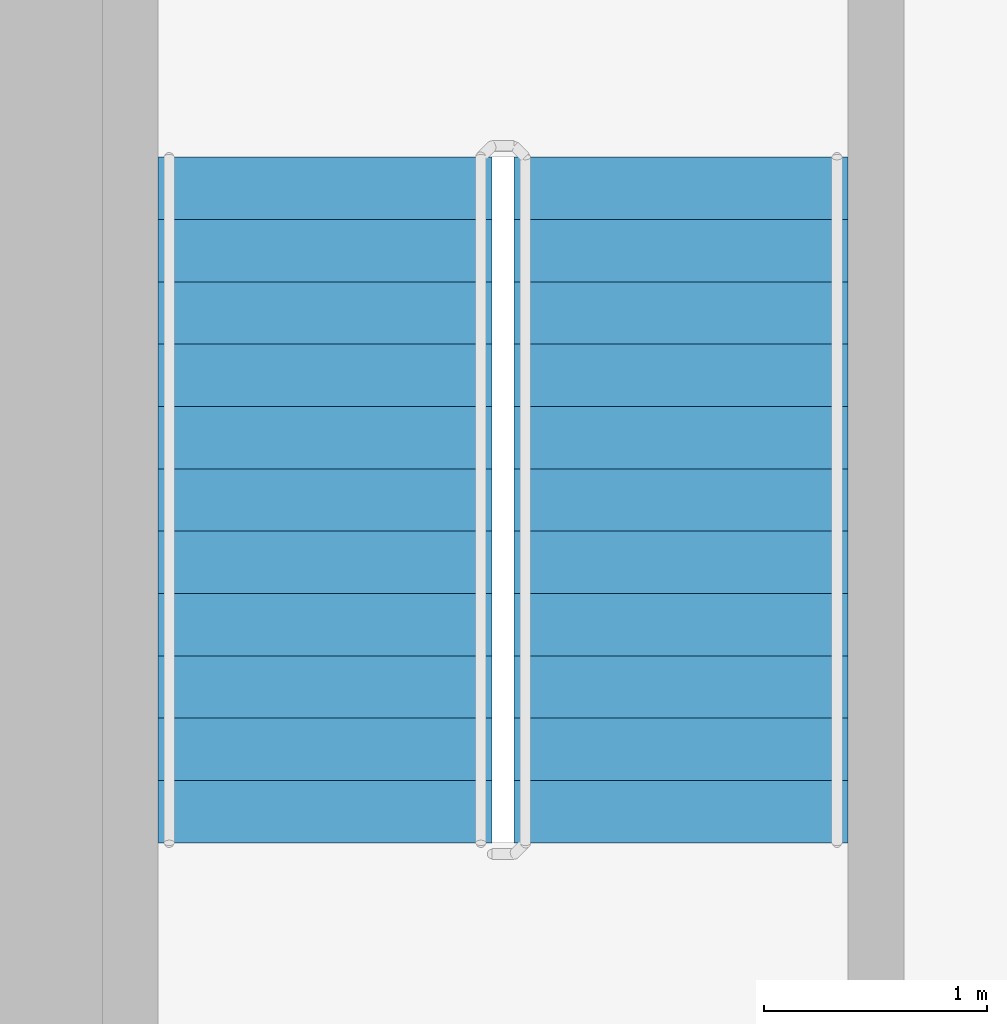
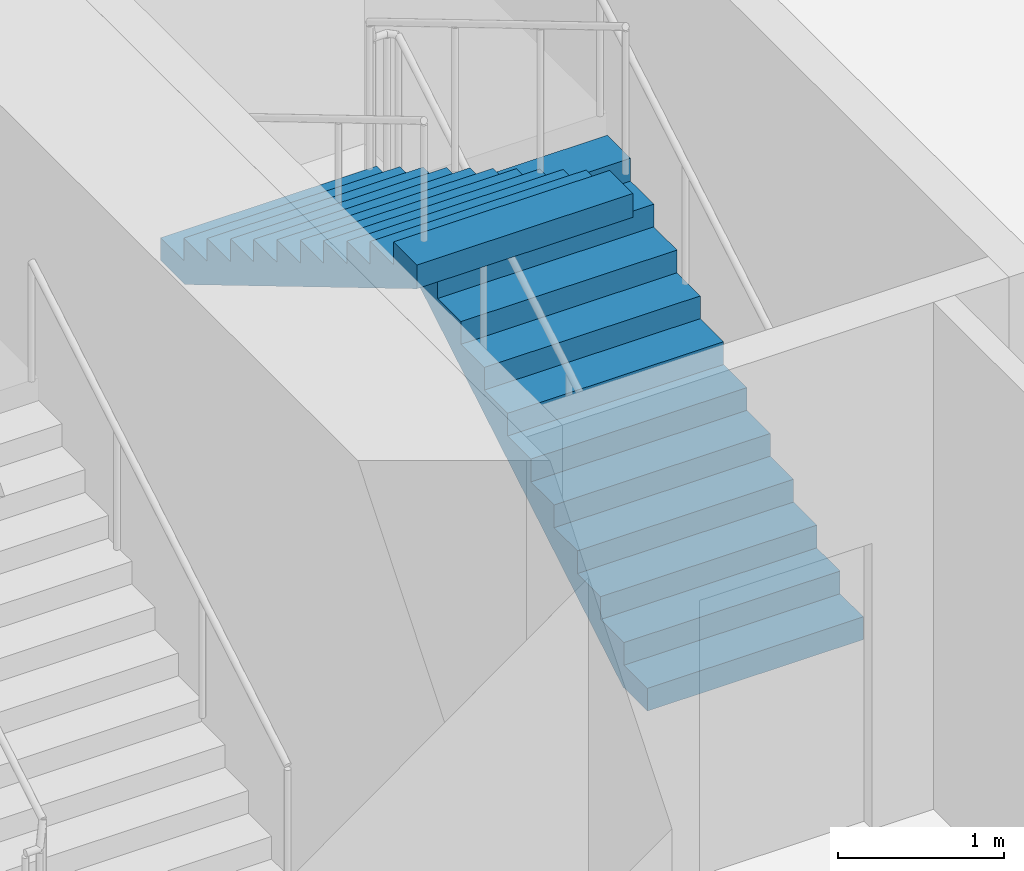
# One storey, part 16 of 24: 2 stair flights, 1 element without a shape of its own.
"""IFC4 building model written with IfcOpenShell, lengths in metres."""

from ifc_helpers import new_model, si_unit, direction, frame, origin, place, context, subcontext, project, spatial, triangles, source, transform, mapped, material, type_object, element, aggregate, save


model = new_model("IFC4")

# Units and contexts
model_context = context("Model", 3, precision=1e-05, world=origin(), true_north=direction((0.0, 1.0)))
body_context = subcontext(model_context, "Body", "Model", "MODEL_VIEW")
ifc_project = project(units=[si_unit("LENGTHUNIT", "METRE"), si_unit("AREAUNIT", "SQUARE_METRE"), si_unit("VOLUMEUNIT", "CUBIC_METRE"), si_unit("PLANEANGLEUNIT", "RADIAN"), si_unit("MASSUNIT", "GRAM", prefix="KILO")], contexts=[model_context])

# Site, building, storey
site_placement = place(None, origin())
site = spatial("IfcSite", under=ifc_project, at=site_placement, CompositionType="ELEMENT")
building_placement = place(site_placement, origin())
building = spatial("IfcBuilding", under=site, at=building_placement, Name="Kilnfold Tower and Market Hall", CompositionType="ELEMENT")
storey_placement = place(building_placement, frame((0.0, 0.0, 35.0)))
storey = spatial("IfcBuildingStorey", under=building, at=storey_placement, Name="L07", CompositionType="ELEMENT", Elevation=35.0)

# Stair, stair flights
ifc_material_1 = material(Name="Concrete C40/50", Category="concrete")
stair_type = type_object("IfcStairType", Name="CORE STAIR 1500", PredefinedType="HALF_TURN_STAIR", material=ifc_material_1)
stair_placement = place(storey_placement, origin())
stair = element("IfcStair", 1, at=stair_placement, inside=storey, type_object=stair_type, Name="L07 ST5", PredefinedType="HALF_TURN_STAIR")
ifc_material_2 = material(Name="Concrete C40/50", Category="concrete")
stair_flight_type = type_object("IfcStairFlightType", Name="CORE STAIR FLIGHT 1500", PredefinedType="STRAIGHT", material=ifc_material_2)
shared_shape = source(origin(), body_context, "Body", "Tessellation", [
    triangles([(0.0, 0.75, 0.0), (0.0, 0.65625, 0.0), (0.0, 0.5625, 0.0), (0.0, 0.46875, 0.0), (0.0, 0.375, 0.0), (0.0, 0.28125, 0.0), (0.0, 0.1875, 0.0), (0.0, 0.09375, 0.0), (0.0, 0.0, 0.0), (0.0, -0.09375, 0.0), (0.0, -0.1875, 0.0), (0.0, -0.28125, 0.0), (0.0, -0.375, 0.0), (0.0, -0.46875, 0.0), (0.0, -0.5625, 0.0), (0.0, -0.65625, 0.0), (0.0, -0.75, 0.0), (0.0, 0.75, 0.166748046875), (0.0, 0.65625, 0.166748046875), (0.0, 0.5625, 0.166748046875), (0.0, 0.46875, 0.166748046875), (0.0, 0.375, 0.166748046875), (0.0, 0.28125, 0.166748046875), (0.0, 0.1875, 0.166748046875), (0.0, 0.09375, 0.166748046875), (0.0, 0.0, 0.166748046875), (0.0, -0.09375, 0.166748046875), (0.0, -0.1875, 0.166748046875), (0.0, -0.28125, 0.166748046875), (0.0, -0.375, 0.166748046875), (0.0, -0.46875, 0.166748046875), (0.0, -0.5625, 0.166748046875), (0.0, -0.65625, 0.166748046875), (0.0, -0.75, 0.166748046875), (0.280029296875, 0.75, 0.166748046875), (0.280029296875, 0.65625, 0.166748046875), (0.280029296875, 0.5625, 0.166748046875), (0.280029296875, 0.46875, 0.166748046875), (0.280029296875, 0.375, 0.166748046875), (0.280029296875, 0.28125, 0.166748046875), (0.280029296875, 0.1875, 0.166748046875), (0.280029296875, 0.09375, 0.166748046875), (0.280029296875, 0.0, 0.166748046875), (0.280029296875, -0.09375, 0.166748046875), (0.280029296875, -0.1875, 0.166748046875), (0.280029296875, -0.28125, 0.166748046875), (0.280029296875, -0.375, 0.166748046875), (0.280029296875, -0.46875, 0.166748046875), (0.280029296875, -0.5625, 0.166748046875), (0.280029296875, -0.65625, 0.166748046875), (0.280029296875, -0.75, 0.166748046875), (0.280029296875, 0.75, 0.333251953125), (0.280029296875, 0.65625, 0.333251953125), (0.280029296875, 0.5625, 0.333251953125), (0.280029296875, 0.46875, 0.333251953125), (0.280029296875, 0.375, 0.333251953125), (0.280029296875, 0.28125, 0.333251953125), (0.280029296875, 0.1875, 0.333251953125), (0.280029296875, 0.09375, 0.333251953125), (0.280029296875, 0.0, 0.333251953125), (0.280029296875, -0.09375, 0.333251953125), (0.280029296875, -0.1875, 0.333251953125), (0.280029296875, -0.28125, 0.333251953125), (0.280029296875, -0.375, 0.333251953125), (0.280029296875, -0.46875, 0.333251953125), (0.280029296875, -0.5625, 0.333251953125), (0.280029296875, -0.65625, 0.333251953125), (0.280029296875, -0.75, 0.333251953125), (0.56005859375, 0.75, 0.333251953125), (0.56005859375, 0.65625, 0.333251953125), (0.56005859375, 0.5625, 0.333251953125), (0.56005859375, 0.46875, 0.333251953125), (0.56005859375, 0.375, 0.333251953125), (0.56005859375, 0.28125, 0.333251953125), (0.56005859375, 0.1875, 0.333251953125), (0.56005859375, 0.09375, 0.333251953125), (0.56005859375, 0.0, 0.333251953125), (0.56005859375, -0.09375, 0.333251953125), (0.56005859375, -0.1875, 0.333251953125), (0.56005859375, -0.28125, 0.333251953125), (0.56005859375, -0.375, 0.333251953125), (0.56005859375, -0.46875, 0.333251953125), (0.56005859375, -0.5625, 0.333251953125), (0.56005859375, -0.65625, 0.333251953125), (0.56005859375, -0.75, 0.333251953125), (0.56005859375, 0.75, 0.5), (0.56005859375, 0.65625, 0.5), (0.56005859375, 0.5625, 0.5), (0.56005859375, 0.46875, 0.5), (0.56005859375, 0.375, 0.5), (0.56005859375, 0.28125, 0.5), (0.56005859375, 0.1875, 0.5), (0.56005859375, 0.09375, 0.5), (0.56005859375, 0.0, 0.5), (0.56005859375, -0.09375, 0.5), (0.56005859375, -0.1875, 0.5), (0.56005859375, -0.28125, 0.5), (0.56005859375, -0.375, 0.5), (0.56005859375, -0.46875, 0.5), (0.56005859375, -0.5625, 0.5), (0.56005859375, -0.65625, 0.5), (0.56005859375, -0.75, 0.5), (0.840087890625, 0.75, 0.5), (0.840087890625, 0.65625, 0.5), (0.840087890625, 0.5625, 0.5), (0.840087890625, 0.46875, 0.5), (0.840087890625, 0.375, 0.5), (0.840087890625, 0.28125, 0.5), (0.840087890625, 0.1875, 0.5), (0.840087890625, 0.09375, 0.5), (0.840087890625, 0.0, 0.5), (0.840087890625, -0.09375, 0.5), (0.840087890625, -0.1875, 0.5), (0.840087890625, -0.28125, 0.5), (0.840087890625, -0.375, 0.5), (0.840087890625, -0.46875, 0.5), (0.840087890625, -0.5625, 0.5), (0.840087890625, -0.65625, 0.5), (0.840087890625, -0.75, 0.5), (0.840087890625, 0.75, 0.666748046875), (0.840087890625, 0.65625, 0.666748046875), (0.840087890625, 0.5625, 0.666748046875), (0.840087890625, 0.46875, 0.666748046875), (0.840087890625, 0.375, 0.666748046875), (0.840087890625, 0.28125, 0.666748046875), (0.840087890625, 0.1875, 0.666748046875), (0.840087890625, 0.09375, 0.666748046875), (0.840087890625, 0.0, 0.666748046875), (0.840087890625, -0.09375, 0.666748046875), (0.840087890625, -0.1875, 0.666748046875), (0.840087890625, -0.28125, 0.666748046875), (0.840087890625, -0.375, 0.666748046875), (0.840087890625, -0.46875, 0.666748046875), (0.840087890625, -0.5625, 0.666748046875), (0.840087890625, -0.65625, 0.666748046875), (0.840087890625, -0.75, 0.666748046875), (1.1201171875, 0.75, 0.666748046875), (1.1201171875, 0.65625, 0.666748046875), (1.1201171875, 0.5625, 0.666748046875), (1.1201171875, 0.46875, 0.666748046875), (1.1201171875, 0.375, 0.666748046875), (1.1201171875, 0.28125, 0.666748046875), (1.1201171875, 0.1875, 0.666748046875), (1.1201171875, 0.09375, 0.666748046875), (1.1201171875, 0.0, 0.666748046875), (1.1201171875, -0.09375, 0.666748046875), (1.1201171875, -0.1875, 0.666748046875), (1.1201171875, -0.28125, 0.666748046875), (1.1201171875, -0.375, 0.666748046875), (1.1201171875, -0.46875, 0.666748046875), (1.1201171875, -0.5625, 0.666748046875), (1.1201171875, -0.65625, 0.666748046875), (1.1201171875, -0.75, 0.666748046875), (1.1201171875, 0.75, 0.833251953125), (1.1201171875, 0.65625, 0.833251953125), (1.1201171875, 0.5625, 0.833251953125), (1.1201171875, 0.46875, 0.833251953125), (1.1201171875, 0.375, 0.833251953125), (1.1201171875, 0.28125, 0.833251953125), (1.1201171875, 0.1875, 0.833251953125), (1.1201171875, 0.09375, 0.833251953125), (1.1201171875, 0.0, 0.833251953125), (1.1201171875, -0.09375, 0.833251953125), (1.1201171875, -0.1875, 0.833251953125), (1.1201171875, -0.28125, 0.833251953125), (1.1201171875, -0.375, 0.833251953125), (1.1201171875, -0.46875, 0.833251953125), (1.1201171875, -0.5625, 0.833251953125), (1.1201171875, -0.65625, 0.833251953125), (1.1201171875, -0.75, 0.833251953125), (1.39990234375, 0.75, 0.833251953125), (1.39990234375, 0.65625, 0.833251953125), (1.39990234375, 0.5625, 0.833251953125), (1.39990234375, 0.46875, 0.833251953125), (1.39990234375, 0.375, 0.833251953125), (1.39990234375, 0.28125, 0.833251953125), (1.39990234375, 0.1875, 0.833251953125), (1.39990234375, 0.09375, 0.833251953125), (1.39990234375, 0.0, 0.833251953125), (1.39990234375, -0.09375, 0.833251953125), (1.39990234375, -0.1875, 0.833251953125), (1.39990234375, -0.28125, 0.833251953125), (1.39990234375, -0.375, 0.833251953125), (1.39990234375, -0.46875, 0.833251953125), (1.39990234375, -0.5625, 0.833251953125), (1.39990234375, -0.65625, 0.833251953125), (1.39990234375, -0.75, 0.833251953125), (1.39990234375, 0.75, 1.0), (1.39990234375, 0.65625, 1.0), (1.39990234375, 0.5625, 1.0), (1.39990234375, 0.46875, 1.0), (1.39990234375, 0.375, 1.0), (1.39990234375, 0.28125, 1.0), (1.39990234375, 0.1875, 1.0), (1.39990234375, 0.09375, 1.0), (1.39990234375, 0.0, 1.0), (1.39990234375, -0.09375, 1.0), (1.39990234375, -0.1875, 1.0), (1.39990234375, -0.28125, 1.0), (1.39990234375, -0.375, 1.0), (1.39990234375, -0.46875, 1.0), (1.39990234375, -0.5625, 1.0), (1.39990234375, -0.65625, 1.0), (1.39990234375, -0.75, 1.0), (1.679931640625, 0.75, 1.0), (1.679931640625, 0.65625, 1.0), (1.679931640625, 0.5625, 1.0), (1.679931640625, 0.46875, 1.0), (1.679931640625, 0.375, 1.0), (1.679931640625, 0.28125, 1.0), (1.679931640625, 0.1875, 1.0), (1.679931640625, 0.09375, 1.0), (1.679931640625, 0.0, 1.0), (1.679931640625, -0.09375, 1.0), (1.679931640625, -0.1875, 1.0), (1.679931640625, -0.28125, 1.0), (1.679931640625, -0.375, 1.0), (1.679931640625, -0.46875, 1.0), (1.679931640625, -0.5625, 1.0), (1.679931640625, -0.65625, 1.0), (1.679931640625, -0.75, 1.0), (1.679931640625, 0.75, 1.166748046875), (1.679931640625, 0.65625, 1.166748046875), (1.679931640625, 0.5625, 1.166748046875), (1.679931640625, 0.46875, 1.166748046875), (1.679931640625, 0.375, 1.166748046875), (1.679931640625, 0.28125, 1.166748046875), (1.679931640625, 0.1875, 1.166748046875), (1.679931640625, 0.09375, 1.166748046875), (1.679931640625, 0.0, 1.166748046875), (1.679931640625, -0.09375, 1.166748046875), (1.679931640625, -0.1875, 1.166748046875), (1.679931640625, -0.28125, 1.166748046875), (1.679931640625, -0.375, 1.166748046875), (1.679931640625, -0.46875, 1.166748046875), (1.679931640625, -0.5625, 1.166748046875), (1.679931640625, -0.65625, 1.166748046875), (1.679931640625, -0.75, 1.166748046875), (1.9599609375, 0.75, 1.166748046875), (1.9599609375, 0.65625, 1.166748046875), (1.9599609375, 0.5625, 1.166748046875), (1.9599609375, 0.46875, 1.166748046875), (1.9599609375, 0.375, 1.166748046875), (1.9599609375, 0.28125, 1.166748046875), (1.9599609375, 0.1875, 1.166748046875), (1.9599609375, 0.09375, 1.166748046875), (1.9599609375, 0.0, 1.166748046875), (1.9599609375, -0.09375, 1.166748046875), (1.9599609375, -0.1875, 1.166748046875), (1.9599609375, -0.28125, 1.166748046875), (1.9599609375, -0.375, 1.166748046875), (1.9599609375, -0.46875, 1.166748046875), (1.9599609375, -0.5625, 1.166748046875), (1.9599609375, -0.65625, 1.166748046875), (1.9599609375, -0.75, 1.166748046875), (1.9599609375, 0.75, 1.333251953125), (1.9599609375, 0.65625, 1.333251953125), (1.9599609375, 0.5625, 1.333251953125), (1.9599609375, 0.46875, 1.333251953125), (1.9599609375, 0.375, 1.333251953125), (1.9599609375, 0.28125, 1.333251953125), (1.9599609375, 0.1875, 1.333251953125), (1.9599609375, 0.09375, 1.333251953125), (1.9599609375, 0.0, 1.333251953125), (1.9599609375, -0.09375, 1.333251953125), (1.9599609375, -0.1875, 1.333251953125), (1.9599609375, -0.28125, 1.333251953125), (1.9599609375, -0.375, 1.333251953125), (1.9599609375, -0.46875, 1.333251953125), (1.9599609375, -0.5625, 1.333251953125), (1.9599609375, -0.65625, 1.333251953125), (1.9599609375, -0.75, 1.333251953125), (2.239990234375, 0.75, 1.333251953125), (2.239990234375, 0.65625, 1.333251953125), (2.239990234375, 0.5625, 1.333251953125), (2.239990234375, 0.46875, 1.333251953125), (2.239990234375, 0.375, 1.333251953125), (2.239990234375, 0.28125, 1.333251953125), (2.239990234375, 0.1875, 1.333251953125), (2.239990234375, 0.09375, 1.333251953125), (2.239990234375, 0.0, 1.333251953125), (2.239990234375, -0.09375, 1.333251953125), (2.239990234375, -0.1875, 1.333251953125), (2.239990234375, -0.28125, 1.333251953125), (2.239990234375, -0.375, 1.333251953125), (2.239990234375, -0.46875, 1.333251953125), (2.239990234375, -0.5625, 1.333251953125), (2.239990234375, -0.65625, 1.333251953125), (2.239990234375, -0.75, 1.333251953125), (2.239990234375, 0.75, 1.5), (2.239990234375, 0.65625, 1.5), (2.239990234375, 0.5625, 1.5), (2.239990234375, 0.46875, 1.5), (2.239990234375, 0.375, 1.5), (2.239990234375, 0.28125, 1.5), (2.239990234375, 0.1875, 1.5), (2.239990234375, 0.09375, 1.5), (2.239990234375, 0.0, 1.5), (2.239990234375, -0.09375, 1.5), (2.239990234375, -0.1875, 1.5), (2.239990234375, -0.28125, 1.5), (2.239990234375, -0.375, 1.5), (2.239990234375, -0.46875, 1.5), (2.239990234375, -0.5625, 1.5), (2.239990234375, -0.65625, 1.5), (2.239990234375, -0.75, 1.5), (2.52001953125, 0.75, 1.5), (2.52001953125, 0.65625, 1.5), (2.52001953125, 0.5625, 1.5), (2.52001953125, 0.46875, 1.5), (2.52001953125, 0.375, 1.5), (2.52001953125, 0.28125, 1.5), (2.52001953125, 0.1875, 1.5), (2.52001953125, 0.09375, 1.5), (2.52001953125, 0.0, 1.5), (2.52001953125, -0.09375, 1.5), (2.52001953125, -0.1875, 1.5), (2.52001953125, -0.28125, 1.5), (2.52001953125, -0.375, 1.5), (2.52001953125, -0.46875, 1.5), (2.52001953125, -0.5625, 1.5), (2.52001953125, -0.65625, 1.5), (2.52001953125, -0.75, 1.5), (2.52001953125, 0.75, 1.666748046875), (2.52001953125, 0.65625, 1.666748046875), (2.52001953125, 0.5625, 1.666748046875), (2.52001953125, 0.46875, 1.666748046875), (2.52001953125, 0.375, 1.666748046875), (2.52001953125, 0.28125, 1.666748046875), (2.52001953125, 0.1875, 1.666748046875), (2.52001953125, 0.09375, 1.666748046875), (2.52001953125, 0.0, 1.666748046875), (2.52001953125, -0.09375, 1.666748046875), (2.52001953125, -0.1875, 1.666748046875), (2.52001953125, -0.28125, 1.666748046875), (2.52001953125, -0.375, 1.666748046875), (2.52001953125, -0.46875, 1.666748046875), (2.52001953125, -0.5625, 1.666748046875), (2.52001953125, -0.65625, 1.666748046875), (2.52001953125, -0.75, 1.666748046875), (2.800048828125, 0.75, 1.666748046875), (2.800048828125, 0.65625, 1.666748046875), (2.800048828125, 0.5625, 1.666748046875), (2.800048828125, 0.46875, 1.666748046875), (2.800048828125, 0.375, 1.666748046875), (2.800048828125, 0.28125, 1.666748046875), (2.800048828125, 0.1875, 1.666748046875), (2.800048828125, 0.09375, 1.666748046875), (2.800048828125, 0.0, 1.666748046875), (2.800048828125, -0.09375, 1.666748046875), (2.800048828125, -0.1875, 1.666748046875), (2.800048828125, -0.28125, 1.666748046875), (2.800048828125, -0.375, 1.666748046875), (2.800048828125, -0.46875, 1.666748046875), (2.800048828125, -0.5625, 1.666748046875), (2.800048828125, -0.65625, 1.666748046875), (2.800048828125, -0.75, 1.666748046875), (2.800048828125, 0.75, 1.833251953125), (2.800048828125, 0.65625, 1.833251953125), (2.800048828125, 0.5625, 1.833251953125), (2.800048828125, 0.46875, 1.833251953125), (2.800048828125, 0.375, 1.833251953125), (2.800048828125, 0.28125, 1.833251953125), (2.800048828125, 0.1875, 1.833251953125), (2.800048828125, 0.09375, 1.833251953125), (2.800048828125, 0.0, 1.833251953125), (2.800048828125, -0.09375, 1.833251953125), (2.800048828125, -0.1875, 1.833251953125), (2.800048828125, -0.28125, 1.833251953125), (2.800048828125, -0.375, 1.833251953125), (2.800048828125, -0.46875, 1.833251953125), (2.800048828125, -0.5625, 1.833251953125), (2.800048828125, -0.65625, 1.833251953125), (2.800048828125, -0.75, 1.833251953125), (3.080078125, 0.75, 1.833251953125), (3.080078125, 0.65625, 1.833251953125), (3.080078125, 0.5625, 1.833251953125), (3.080078125, 0.46875, 1.833251953125), (3.080078125, 0.375, 1.833251953125), (3.080078125, 0.28125, 1.833251953125), (3.080078125, 0.1875, 1.833251953125), (3.080078125, 0.09375, 1.833251953125), (3.080078125, 0.0, 1.833251953125), (3.080078125, -0.09375, 1.833251953125), (3.080078125, -0.1875, 1.833251953125), (3.080078125, -0.28125, 1.833251953125), (3.080078125, -0.375, 1.833251953125), (3.080078125, -0.46875, 1.833251953125), (3.080078125, -0.5625, 1.833251953125), (3.080078125, -0.65625, 1.833251953125), (3.080078125, -0.75, 1.833251953125), (3.080078125, 0.75, 1.658935546875), (3.080078125, 0.65625, 1.658935546875), (3.080078125, 0.5625, 1.658935546875), (3.080078125, 0.46875, 1.658935546875), (3.080078125, 0.375, 1.658935546875), (3.080078125, 0.28125, 1.658935546875), (3.080078125, 0.1875, 1.658935546875), (3.080078125, 0.09375, 1.658935546875), (3.080078125, 0.0, 1.658935546875), (3.080078125, -0.09375, 1.658935546875), (3.080078125, -0.1875, 1.658935546875), (3.080078125, -0.28125, 1.658935546875), (3.080078125, -0.375, 1.658935546875), (3.080078125, -0.46875, 1.658935546875), (3.080078125, -0.5625, 1.658935546875), (3.080078125, -0.65625, 1.658935546875), (3.080078125, -0.75, 1.658935546875), (0.29296875, 0.75, 0.0), (0.29296875, 0.65625, 0.0), (0.29296875, 0.5625, 0.0), (0.29296875, 0.46875, 0.0), (0.29296875, 0.375, 0.0), (0.29296875, 0.28125, 0.0), (0.29296875, 0.1875, 0.0), (0.29296875, 0.09375, 0.0), (0.29296875, 0.0, 0.0), (0.29296875, -0.09375, 0.0), (0.29296875, -0.1875, 0.0), (0.29296875, -0.28125, 0.0), (0.29296875, -0.375, 0.0), (0.29296875, -0.46875, 0.0), (0.29296875, -0.5625, 0.0), (0.29296875, -0.65625, 0.0), (0.29296875, -0.75, 0.0)], [[1, 392, 409], [17, 425, 408], [392, 358, 375], [408, 391, 374], [392, 341, 358], [408, 374, 357], [392, 324, 341], [408, 357, 340], [392, 307, 324], [408, 340, 323], [307, 273, 290], [323, 306, 289], [392, 273, 307], [408, 323, 289], [273, 239, 256], [289, 272, 255], [392, 239, 273], [408, 289, 255], [239, 205, 222], [255, 238, 221], [392, 205, 239], [408, 255, 221], [205, 171, 188], [221, 204, 187], [392, 171, 205], [408, 221, 187], [171, 137, 154], [187, 170, 153], [392, 137, 171], [408, 187, 153], [137, 103, 120], [153, 136, 119], [392, 103, 137], [408, 153, 119], [103, 69, 86], [119, 102, 85], [392, 69, 103], [408, 119, 85], [1, 69, 392], [17, 408, 85], [69, 35, 52], [85, 68, 51], [1, 35, 69], [17, 85, 51], [35, 1, 18], [51, 34, 17], [1, 19, 18], [1, 2, 19], [2, 20, 19], [2, 3, 20], [3, 21, 20], [3, 4, 21], [4, 22, 21], [4, 5, 22], [5, 23, 22], [5, 6, 23], [6, 24, 23], [6, 7, 24], [7, 25, 24], [7, 8, 25], [8, 26, 25], [8, 9, 26], [9, 27, 26], [9, 10, 27], [10, 28, 27], [10, 11, 28], [11, 29, 28], [11, 12, 29], [12, 30, 29], [12, 13, 30], [13, 31, 30], [13, 14, 31], [14, 32, 31], [14, 15, 32], [15, 33, 32], [15, 16, 33], [16, 34, 33], [16, 17, 34], [18, 36, 35], [18, 19, 36], [19, 37, 36], [19, 20, 37], [20, 38, 37], [20, 21, 38], [21, 39, 38], [21, 22, 39], [22, 40, 39], [22, 23, 40], [23, 41, 40], [23, 24, 41], [24, 42, 41], [24, 25, 42], [25, 43, 42], [25, 26, 43], [26, 44, 43], [26, 27, 44], [27, 45, 44], [27, 28, 45], [28, 46, 45], [28, 29, 46], [29, 47, 46], [29, 30, 47], [30, 48, 47], [30, 31, 48], [31, 49, 48], [31, 32, 49], [32, 50, 49], [32, 33, 50], [33, 51, 50], [33, 34, 51], [35, 53, 52], [35, 36, 53], [36, 54, 53], [36, 37, 54], [37, 55, 54], [37, 38, 55], [38, 56, 55], [38, 39, 56], [39, 57, 56], [39, 40, 57], [40, 58, 57], [40, 41, 58], [41, 59, 58], [41, 42, 59], [42, 60, 59], [42, 43, 60], [43, 61, 60], [43, 44, 61], [44, 62, 61], [44, 45, 62], [45, 63, 62], [45, 46, 63], [46, 64, 63], [46, 47, 64], [47, 65, 64], [47, 48, 65], [48, 66, 65], [48, 49, 66], [49, 67, 66], [49, 50, 67], [50, 68, 67], [50, 51, 68], [52, 70, 69], [52, 53, 70], [53, 71, 70], [53, 54, 71], [54, 72, 71], [54, 55, 72], [55, 73, 72], [55, 56, 73], [56, 74, 73], [56, 57, 74], [57, 75, 74], [57, 58, 75], [58, 76, 75], [58, 59, 76], [59, 77, 76], [59, 60, 77], [60, 78, 77], [60, 61, 78], [61, 79, 78], [61, 62, 79], [62, 80, 79], [62, 63, 80], [63, 81, 80], [63, 64, 81], [64, 82, 81], [64, 65, 82], [65, 83, 82], [65, 66, 83], [66, 84, 83], [66, 67, 84], [67, 85, 84], [67, 68, 85], [69, 87, 86], [69, 70, 87], [70, 88, 87], [70, 71, 88], [71, 89, 88], [71, 72, 89], [72, 90, 89], [72, 73, 90], [73, 91, 90], [73, 74, 91], [74, 92, 91], [74, 75, 92], [75, 93, 92], [75, 76, 93], [76, 94, 93], [76, 77, 94], [77, 95, 94], [77, 78, 95], [78, 96, 95], [78, 79, 96], [79, 97, 96], [79, 80, 97], [80, 98, 97], [80, 81, 98], [81, 99, 98], [81, 82, 99], [82, 100, 99], [82, 83, 100], [83, 101, 100], [83, 84, 101], [84, 102, 101], [84, 85, 102], [86, 104, 103], [86, 87, 104], [87, 105, 104], [87, 88, 105], [88, 106, 105], [88, 89, 106], [89, 107, 106], [89, 90, 107], [90, 108, 107], [90, 91, 108], [91, 109, 108], [91, 92, 109], [92, 110, 109], [92, 93, 110], [93, 111, 110], [93, 94, 111], [94, 112, 111], [94, 95, 112], [95, 113, 112], [95, 96, 113], [96, 114, 113], [96, 97, 114], [97, 115, 114], [97, 98, 115], [98, 116, 115], [98, 99, 116], [99, 117, 116], [99, 100, 117], [100, 118, 117], [100, 101, 118], [101, 119, 118], [101, 102, 119], [103, 121, 120], [103, 104, 121], [104, 122, 121], [104, 105, 122], [105, 123, 122], [105, 106, 123], [106, 124, 123], [106, 107, 124], [107, 125, 124], [107, 108, 125], [108, 126, 125], [108, 109, 126], [109, 127, 126], [109, 110, 127], [110, 128, 127], [110, 111, 128], [111, 129, 128], [111, 112, 129], [112, 130, 129], [112, 113, 130], [113, 131, 130], [113, 114, 131], [114, 132, 131], [114, 115, 132], [115, 133, 132], [115, 116, 133], [116, 134, 133], [116, 117, 134], [117, 135, 134], [117, 118, 135], [118, 136, 135], [118, 119, 136], [120, 138, 137], [120, 121, 138], [121, 139, 138], [121, 122, 139], [122, 140, 139], [122, 123, 140], [123, 141, 140], [123, 124, 141], [124, 142, 141], [124, 125, 142], [125, 143, 142], [125, 126, 143], [126, 144, 143], [126, 127, 144], [127, 145, 144], [127, 128, 145], [128, 146, 145], [128, 129, 146], [129, 147, 146], [129, 130, 147], [130, 148, 147], [130, 131, 148], [131, 149, 148], [131, 132, 149], [132, 150, 149], [132, 133, 150], [133, 151, 150], [133, 134, 151], [134, 152, 151], [134, 135, 152], [135, 153, 152], [135, 136, 153], [137, 155, 154], [137, 138, 155], [138, 156, 155], [138, 139, 156], [139, 157, 156], [139, 140, 157], [140, 158, 157], [140, 141, 158], [141, 159, 158], [141, 142, 159], [142, 160, 159], [142, 143, 160], [143, 161, 160], [143, 144, 161], [144, 162, 161], [144, 145, 162], [145, 163, 162], [145, 146, 163], [146, 164, 163], [146, 147, 164], [147, 165, 164], [147, 148, 165], [148, 166, 165], [148, 149, 166], [149, 167, 166], [149, 150, 167], [150, 168, 167], [150, 151, 168], [151, 169, 168], [151, 152, 169], [152, 170, 169], [152, 153, 170], [154, 172, 171], [154, 155, 172], [155, 173, 172], [155, 156, 173], [156, 174, 173], [156, 157, 174], [157, 175, 174], [157, 158, 175], [158, 176, 175], [158, 159, 176], [159, 177, 176], [159, 160, 177], [160, 178, 177], [160, 161, 178], [161, 179, 178], [161, 162, 179], [162, 180, 179], [162, 163, 180], [163, 181, 180], [163, 164, 181], [164, 182, 181], [164, 165, 182], [165, 183, 182], [165, 166, 183], [166, 184, 183], [166, 167, 184], [167, 185, 184], [167, 168, 185], [168, 186, 185], [168, 169, 186], [169, 187, 186], [169, 170, 187], [171, 189, 188], [171, 172, 189], [172, 190, 189], [172, 173, 190], [173, 191, 190], [173, 174, 191], [174, 192, 191], [174, 175, 192], [175, 193, 192], [175, 176, 193], [176, 194, 193], [176, 177, 194], [177, 195, 194], [177, 178, 195], [178, 196, 195], [178, 179, 196], [179, 197, 196], [179, 180, 197], [180, 198, 197], [180, 181, 198], [181, 199, 198], [181, 182, 199], [182, 200, 199], [182, 183, 200], [183, 201, 200], [183, 184, 201], [184, 202, 201], [184, 185, 202], [185, 203, 202], [185, 186, 203], [186, 204, 203], [186, 187, 204], [188, 206, 205], [188, 189, 206], [189, 207, 206], [189, 190, 207], [190, 208, 207], [190, 191, 208], [191, 209, 208], [191, 192, 209], [192, 210, 209], [192, 193, 210], [193, 211, 210], [193, 194, 211], [194, 212, 211], [194, 195, 212], [195, 213, 212], [195, 196, 213], [196, 214, 213], [196, 197, 214], [197, 215, 214], [197, 198, 215], [198, 216, 215], [198, 199, 216], [199, 217, 216], [199, 200, 217], [200, 218, 217], [200, 201, 218], [201, 219, 218], [201, 202, 219], [202, 220, 219], [202, 203, 220], [203, 221, 220], [203, 204, 221], [205, 223, 222], [205, 206, 223], [206, 224, 223], [206, 207, 224], [207, 225, 224], [207, 208, 225], [208, 226, 225], [208, 209, 226], [209, 227, 226], [209, 210, 227], [210, 228, 227], [210, 211, 228], [211, 229, 228], [211, 212, 229], [212, 230, 229], [212, 213, 230], [213, 231, 230], [213, 214, 231], [214, 232, 231], [214, 215, 232], [215, 233, 232], [215, 216, 233], [216, 234, 233], [216, 217, 234], [217, 235, 234], [217, 218, 235], [218, 236, 235], [218, 219, 236], [219, 237, 236], [219, 220, 237], [220, 238, 237], [220, 221, 238], [222, 240, 239], [222, 223, 240], [223, 241, 240], [223, 224, 241], [224, 242, 241], [224, 225, 242], [225, 243, 242], [225, 226, 243], [226, 244, 243], [226, 227, 244], [227, 245, 244], [227, 228, 245], [228, 246, 245], [228, 229, 246], [229, 247, 246], [229, 230, 247], [230, 248, 247], [230, 231, 248], [231, 249, 248], [231, 232, 249], [232, 250, 249], [232, 233, 250], [233, 251, 250], [233, 234, 251], [234, 252, 251], [234, 235, 252], [235, 253, 252], [235, 236, 253], [236, 254, 253], [236, 237, 254], [237, 255, 254], [237, 238, 255], [239, 257, 256], [239, 240, 257], [240, 258, 257], [240, 241, 258], [241, 259, 258], [241, 242, 259], [242, 260, 259], [242, 243, 260], [243, 261, 260], [243, 244, 261], [244, 262, 261], [244, 245, 262], [245, 263, 262], [245, 246, 263], [246, 264, 263], [246, 247, 264], [247, 265, 264], [247, 248, 265], [248, 266, 265], [248, 249, 266], [249, 267, 266], [249, 250, 267], [250, 268, 267], [250, 251, 268], [251, 269, 268], [251, 252, 269], [252, 270, 269], [252, 253, 270], [253, 271, 270], [253, 254, 271], [254, 272, 271], [254, 255, 272], [256, 274, 273], [256, 257, 274], [257, 275, 274], [257, 258, 275], [258, 276, 275], [258, 259, 276], [259, 277, 276], [259, 260, 277], [260, 278, 277], [260, 261, 278], [261, 279, 278], [261, 262, 279], [262, 280, 279], [262, 263, 280], [263, 281, 280], [263, 264, 281], [264, 282, 281], [264, 265, 282], [265, 283, 282], [265, 266, 283], [266, 284, 283], [266, 267, 284], [267, 285, 284], [267, 268, 285], [268, 286, 285], [268, 269, 286], [269, 287, 286], [269, 270, 287], [270, 288, 287], [270, 271, 288], [271, 289, 288], [271, 272, 289], [273, 291, 290], [273, 274, 291], [274, 292, 291], [274, 275, 292], [275, 293, 292], [275, 276, 293], [276, 294, 293], [276, 277, 294], [277, 295, 294], [277, 278, 295], [278, 296, 295], [278, 279, 296], [279, 297, 296], [279, 280, 297], [280, 298, 297], [280, 281, 298], [281, 299, 298], [281, 282, 299], [282, 300, 299], [282, 283, 300], [283, 301, 300], [283, 284, 301], [284, 302, 301], [284, 285, 302], [285, 303, 302], [285, 286, 303], [286, 304, 303], [286, 287, 304], [287, 305, 304], [287, 288, 305], [288, 306, 305], [288, 289, 306], [290, 308, 307], [290, 291, 308], [291, 309, 308], [291, 292, 309], [292, 310, 309], [292, 293, 310], [293, 311, 310], [293, 294, 311], [294, 312, 311], [294, 295, 312], [295, 313, 312], [295, 296, 313], [296, 314, 313], [296, 297, 314], [297, 315, 314], [297, 298, 315], [298, 316, 315], [298, 299, 316], [299, 317, 316], [299, 300, 317], [300, 318, 317], [300, 301, 318], [301, 319, 318], [301, 302, 319], [302, 320, 319], [302, 303, 320], [303, 321, 320], [303, 304, 321], [304, 322, 321], [304, 305, 322], [305, 323, 322], [305, 306, 323], [307, 325, 324], [307, 308, 325], [308, 326, 325], [308, 309, 326], [309, 327, 326], [309, 310, 327], [310, 328, 327], [310, 311, 328], [311, 329, 328], [311, 312, 329], [312, 330, 329], [312, 313, 330], [313, 331, 330], [313, 314, 331], [314, 332, 331], [314, 315, 332], [315, 333, 332], [315, 316, 333], [316, 334, 333], [316, 317, 334], [317, 335, 334], [317, 318, 335], [318, 336, 335], [318, 319, 336], [319, 337, 336], [319, 320, 337], [320, 338, 337], [320, 321, 338], [321, 339, 338], [321, 322, 339], [322, 340, 339], [322, 323, 340], [324, 342, 341], [324, 325, 342], [325, 343, 342], [325, 326, 343], [326, 344, 343], [326, 327, 344], [327, 345, 344], [327, 328, 345], [328, 346, 345], [328, 329, 346], [329, 347, 346], [329, 330, 347], [330, 348, 347], [330, 331, 348], [331, 349, 348], [331, 332, 349], [332, 350, 349], [332, 333, 350], [333, 351, 350], [333, 334, 351], [334, 352, 351], [334, 335, 352], [335, 353, 352], [335, 336, 353], [336, 354, 353], [336, 337, 354], [337, 355, 354], [337, 338, 355], [338, 356, 355], [338, 339, 356], [339, 357, 356], [339, 340, 357], [341, 359, 358], [341, 342, 359], [342, 360, 359], [342, 343, 360], [343, 361, 360], [343, 344, 361], [344, 362, 361], [344, 345, 362], [345, 363, 362], [345, 346, 363], [346, 364, 363], [346, 347, 364], [347, 365, 364], [347, 348, 365], [348, 366, 365], [348, 349, 366], [349, 367, 366], [349, 350, 367], [350, 368, 367], [350, 351, 368], [351, 369, 368], [351, 352, 369], [352, 370, 369], [352, 353, 370], [353, 371, 370], [353, 354, 371], [354, 372, 371], [354, 355, 372], [355, 373, 372], [355, 356, 373], [356, 374, 373], [356, 357, 374], [358, 376, 375], [358, 359, 376], [359, 377, 376], [359, 360, 377], [360, 378, 377], [360, 361, 378], [361, 379, 378], [361, 362, 379], [362, 380, 379], [362, 363, 380], [363, 381, 380], [363, 364, 381], [364, 382, 381], [364, 365, 382], [365, 383, 382], [365, 366, 383], [366, 384, 383], [366, 367, 384], [367, 385, 384], [367, 368, 385], [368, 386, 385], [368, 369, 386], [369, 387, 386], [369, 370, 387], [370, 388, 387], [370, 371, 388], [371, 389, 388], [371, 372, 389], [372, 390, 389], [372, 373, 390], [373, 391, 390], [373, 374, 391], [375, 393, 392], [375, 376, 393], [376, 394, 393], [376, 377, 394], [377, 395, 394], [377, 378, 395], [378, 396, 395], [378, 379, 396], [379, 397, 396], [379, 380, 397], [380, 398, 397], [380, 381, 398], [381, 399, 398], [381, 382, 399], [382, 400, 399], [382, 383, 400], [383, 401, 400], [383, 384, 401], [384, 402, 401], [384, 385, 402], [385, 403, 402], [385, 386, 403], [386, 404, 403], [386, 387, 404], [387, 405, 404], [387, 388, 405], [388, 406, 405], [388, 389, 406], [389, 407, 406], [389, 390, 407], [390, 408, 407], [390, 391, 408], [392, 410, 409], [392, 393, 410], [393, 411, 410], [393, 394, 411], [394, 412, 411], [394, 395, 412], [395, 413, 412], [395, 396, 413], [396, 414, 413], [396, 397, 414], [397, 415, 414], [397, 398, 415], [398, 416, 415], [398, 399, 416], [399, 417, 416], [399, 400, 417], [400, 418, 417], [400, 401, 418], [401, 419, 418], [401, 402, 419], [402, 420, 419], [402, 403, 420], [403, 421, 420], [403, 404, 421], [404, 422, 421], [404, 405, 422], [405, 423, 422], [405, 406, 423], [406, 424, 423], [406, 407, 424], [407, 425, 424], [407, 408, 425], [409, 2, 1], [409, 410, 2], [410, 3, 2], [410, 411, 3], [411, 4, 3], [411, 412, 4], [412, 5, 4], [412, 413, 5], [413, 6, 5], [413, 414, 6], [414, 7, 6], [414, 415, 7], [415, 8, 7], [415, 416, 8], [416, 9, 8], [416, 417, 9], [417, 10, 9], [417, 418, 10], [418, 11, 10], [418, 419, 11], [419, 12, 11], [419, 420, 12], [420, 13, 12], [420, 421, 13], [421, 14, 13], [421, 422, 14], [422, 15, 14], [422, 423, 15], [423, 16, 15], [423, 424, 16], [424, 17, 16], [424, 425, 17]], closed=True),
])
stair_flight_1_placement = place(storey_placement, frame((20.699951171875, 11.5, 0.0), z_axis=(0.0, 0.0, 1.0), x_axis=(0.0, 1.0, 0.0)))
stair_flight_1 = element("IfcStairFlight", 2, at=stair_flight_1_placement, type_object=stair_flight_type, Name="ST5 flight 1", NumberOfRisers=12, NumberOfTreads=11, PredefinedType="STRAIGHT", RiserHeight=0.166666667, TreadLength=0.28, context=body_context, shape_type="MappedRepresentation", body=[
    mapped(shared_shape, transform((0.0, 0.0, 0.0))),
])
stair_flight_2_placement = place(storey_placement, frame((19.10009765625, 14.580078125, 2.0), z_axis=(0.0, 0.0, 1.0), x_axis=(0.0, -1.0, 0.0)))
stair_flight_2 = element("IfcStairFlight", 3, at=stair_flight_2_placement, type_object=stair_flight_type, Name="ST5 flight 2", NumberOfRisers=12, NumberOfTreads=11, PredefinedType="STRAIGHT", RiserHeight=0.166666667, TreadLength=0.28, context=body_context, shape_type="MappedRepresentation", body=[
    mapped(shared_shape, transform((0.0, 0.0, 0.0))),
])
aggregate(stair, [stair_flight_1, stair_flight_2])

save(model, "model.ifc")
